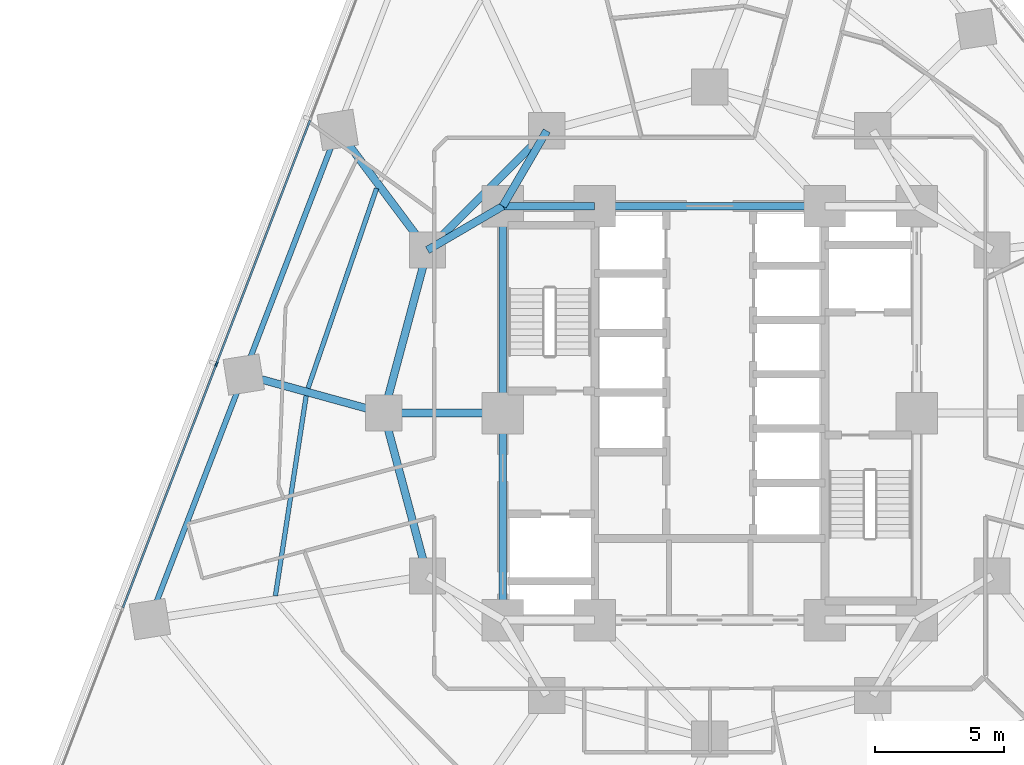
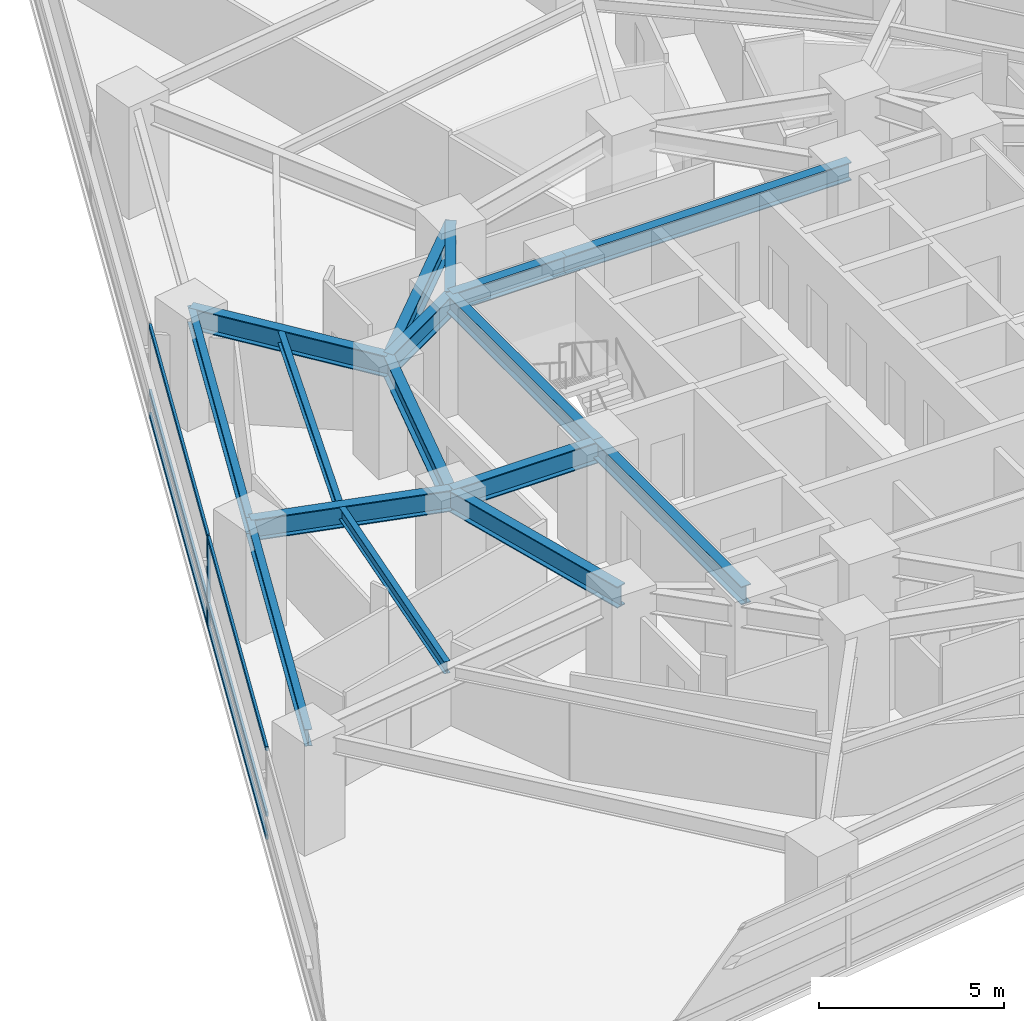
# One storey, part 3 of 14: 16 beams, 7 members, 1 element without a shape of its own.
"""IFC4 building model written with IfcOpenShell, lengths in metres."""

from ifc_helpers import new_model, si_unit, direction, frame, origin, origin_2d, place, context, subcontext, project, spatial, rectangle, i_section, extrude, material, layer, layer_set, material_profile, profile_set, type_object, element, aggregate, save


model = new_model("IFC4")

# Units and contexts
model_context = context("Model", 3, precision=1e-05, world=origin(), true_north=direction((0.0, 1.0)))
body_context = subcontext(model_context, "Body", "Model", "MODEL_VIEW")
ifc_project = project(units=[si_unit("LENGTHUNIT", "METRE"), si_unit("AREAUNIT", "SQUARE_METRE"), si_unit("VOLUMEUNIT", "CUBIC_METRE"), si_unit("PLANEANGLEUNIT", "RADIAN"), si_unit("MASSUNIT", "GRAM", prefix="KILO")], contexts=[model_context])

# Site, building, storey
site_placement = place(None, origin())
site = spatial("IfcSite", under=ifc_project, at=site_placement, CompositionType="ELEMENT")
building_placement = place(site_placement, origin())
building = spatial("IfcBuilding", under=site, at=building_placement, Name="Terralouvre Media Tower", CompositionType="ELEMENT")
storey_placement = place(building_placement, frame((0.0, 0.0, 74.10009765625)))
storey = spatial("IfcBuildingStorey", under=building, at=storey_placement, Name="L18", CompositionType="ELEMENT", Elevation=74.10009765625)

# Beams
ifc_material_1 = material(Name="Structural steel S355J2", Category="steel")
ifc_material_profile_1 = material_profile(ifc_material_1, i_section(OverallWidth=0.179931640625, OverallDepth=0.39990234375, WebThickness=0.008544921875, FlangeThickness=0.013427734375, at=origin_2d()), Name="IPE 400")
ifc_profile_set_1 = profile_set([ifc_material_profile_1], Name="Structural steel S355J2")
beam_type_1 = type_object("IfcBeamType", Name="Composite Floor Joist J-IPE400 (IPE 400)", PredefinedType="JOIST", material=ifc_profile_set_1)
beam_1_placement = place(storey_placement, frame((-12.87841796875, 8.684814453125, 3.2998046875), z_axis=(-0.324414525055, -0.945915015175, 0.0), x_axis=(0.945915015175, -0.324414525055, 0.0)))
element("IfcBeam", 1, at=beam_1_placement, inside=storey, type_object=beam_type_1, Name="L18 Framing Beam JT-L18-11", PredefinedType="JOIST", context=body_context, shape_type="SweptSolid", body=[
    extrude(i_section(OverallWidth=0.179931640625, OverallDepth=0.39990234375, WebThickness=0.008544921875, FlangeThickness=0.013427734375, at=origin_2d()), origin(), (0.0, 0.0, 1.0), 8.165283203125),
])
beam_2_placement = place(storey_placement, frame((-15.598876953125, 0.6708984375, 3.2998046875), z_axis=(-0.152106420826, -0.988364121538, 0.0), x_axis=(0.988364121538, -0.152106420826, 0.0)))
element("IfcBeam", 2, at=beam_2_placement, inside=storey, type_object=beam_type_1, Name="L18 Framing Beam JT-L18-12", PredefinedType="JOIST", context=body_context, shape_type="SweptSolid", body=[
    extrude(i_section(OverallWidth=0.179931640625, OverallDepth=0.39990234375, WebThickness=0.008544921875, FlangeThickness=0.013427734375, at=origin_2d()), origin(), (0.0, 0.0, 1.0), 7.82470703125),
])

# Curtain wall, members
ifc_material_2 = material(Name="Low-iron laminated double glazing with solar-control coating", Category="glass")
ifc_layer = layer(ifc_material_2, 0.1650390625, Name="Lower Media Tower Unitised Curtain Wall CW-02")
ifc_layer_set = layer_set([ifc_layer], Name="Low-iron laminated double glazing with solar-control coating")
curtain_wall_type = type_object("IfcCurtainWallType", Name="Lower Media Tower Unitised Curtain Wall CW-02", PredefinedType="NOTDEFINED", material=ifc_layer_set)
curtain_wall_placement = place(storey_placement, origin())
curtain_wall = element("IfcCurtainWall", 3, at=curtain_wall_placement, inside=storey, type_object=curtain_wall_type, Name="L18 Facade Curtain Wall F2", PredefinedType="NOTDEFINED")
ifc_material_3 = material(Name="Anodised extruded aluminium 6063-T6", Category="aluminium")
ifc_material_profile_2 = material_profile(ifc_material_3, rectangle(XDim=0.074951171875, YDim=0.14990234375, at=origin_2d()), Name="ALU 75x150")
ifc_profile_set_2 = profile_set([ifc_material_profile_2], Name="Anodised extruded aluminium 6063-T6")
member_type_1 = type_object("IfcMemberType", Name="Curtain-Wall Horizontal Transom TR-150", PredefinedType="USERDEFINED", material=ifc_profile_set_2)
member_1_placement = place(storey_placement, frame((-15.449951171875, 11.314697265625, 0.037353515625), z_axis=(-0.358357340084, -0.933584499019, 0.0), x_axis=(0.933584499019, -0.358357340084, 0.0)))
member_1 = element("IfcMember", 4, at=member_1_placement, type_object=member_type_1, Name="CW-02 transom 3.1", ObjectType="TRANSOM", PredefinedType="USERDEFINED", context=body_context, shape_type="SweptSolid", body=[
    extrude(rectangle(XDim=0.074951171875, YDim=0.14990234375, at=origin_2d()), origin(), (0.0, 0.0, 1.0), 10.052978515625),
])
member_2_placement = place(storey_placement, frame((-15.449951171875, 11.314697265625, 0.7998046875), z_axis=(-0.358357340084, -0.933584499019, 0.0), x_axis=(0.933584499019, -0.358357340084, 0.0)))
member_2 = element("IfcMember", 5, at=member_2_placement, type_object=member_type_1, Name="CW-02 transom 3.2", ObjectType="TRANSOM", PredefinedType="USERDEFINED", context=body_context, shape_type="SweptSolid", body=[
    extrude(rectangle(XDim=0.074951171875, YDim=0.14990234375, at=origin_2d()), origin(), (0.0, 0.0, 1.0), 10.052978515625),
])
member_3_placement = place(storey_placement, frame((-15.449951171875, 11.314697265625, 2.96240234375), z_axis=(-0.358357340084, -0.933584499019, 0.0), x_axis=(0.933584499019, -0.358357340084, 0.0)))
member_3 = element("IfcMember", 6, at=member_3_placement, type_object=member_type_1, Name="CW-02 transom 3.3", ObjectType="TRANSOM", PredefinedType="USERDEFINED", context=body_context, shape_type="SweptSolid", body=[
    extrude(rectangle(XDim=0.074951171875, YDim=0.14990234375, at=origin_2d()), origin(), (0.0, 0.0, 1.0), 10.052978515625),
])
member_4_placement = place(storey_placement, frame((-19.079345703125, 1.859375, 0.037353515625), z_axis=(-0.358378506594, -0.933576373957, 0.0), x_axis=(0.933576373957, -0.358378506594, 0.0)))
member_4 = element("IfcMember", 7, at=member_4_placement, type_object=member_type_1, Name="CW-02 transom 4.1", ObjectType="TRANSOM", PredefinedType="USERDEFINED", context=body_context, shape_type="SweptSolid", body=[
    extrude(rectangle(XDim=0.074951171875, YDim=0.14990234375, at=origin_2d()), origin(), (0.0, 0.0, 1.0), 10.052978515625),
])
member_5_placement = place(storey_placement, frame((-19.079345703125, 1.859375, 0.7998046875), z_axis=(-0.358378506594, -0.933576373957, 0.0), x_axis=(0.933576373957, -0.358378506594, 0.0)))
member_5 = element("IfcMember", 8, at=member_5_placement, type_object=member_type_1, Name="CW-02 transom 4.2", ObjectType="TRANSOM", PredefinedType="USERDEFINED", context=body_context, shape_type="SweptSolid", body=[
    extrude(rectangle(XDim=0.074951171875, YDim=0.14990234375, at=origin_2d()), origin(), (0.0, 0.0, 1.0), 10.052978515625),
])
member_6_placement = place(storey_placement, frame((-19.079345703125, 1.859375, 2.96240234375), z_axis=(-0.358378506594, -0.933576373957, 0.0), x_axis=(0.933576373957, -0.358378506594, 0.0)))
member_6 = element("IfcMember", 9, at=member_6_placement, type_object=member_type_1, Name="CW-02 transom 4.3", ObjectType="TRANSOM", PredefinedType="USERDEFINED", context=body_context, shape_type="SweptSolid", body=[
    extrude(rectangle(XDim=0.074951171875, YDim=0.14990234375, at=origin_2d()), origin(), (0.0, 0.0, 1.0), 10.052978515625),
])
ifc_material_4 = material(Name="Anodised extruded aluminium 6063-T6", Category="aluminium")
ifc_material_profile_3 = material_profile(ifc_material_4, rectangle(XDim=0.074951171875, YDim=0.179931640625, at=origin_2d()), Name="ALU 75x180")
ifc_profile_set_3 = profile_set([ifc_material_profile_3], Name="Anodised extruded aluminium 6063-T6")
member_type_2 = type_object("IfcMemberType", Name="Curtain-Wall Vertical Mullion ML-180", PredefinedType="MULLION", material=ifc_profile_set_3)
member_7_placement = place(storey_placement, frame((-19.06591796875, 1.89453125, 0.0), z_axis=(0.0, 0.0, 1.0), x_axis=(0.933580438988, -0.358367917006, 0.0)))
member_7 = element("IfcMember", 10, at=member_7_placement, type_object=member_type_2, Name="CW-02 mullion 4", PredefinedType="MULLION", context=body_context, shape_type="SweptSolid", body=[
    extrude(rectangle(XDim=0.074951171875, YDim=0.179931640625, at=origin_2d()), origin(), (0.0, 0.0, 1.0), 3.0),
])
aggregate(curtain_wall, [member_7, member_1, member_2, member_3, member_4, member_5, member_6])

# Beams
ifc_material_5 = material(Name="Structural steel S355J2", Category="steel")
ifc_material_profile_4 = material_profile(ifc_material_5, i_section(OverallWidth=0.2099609375, OverallDepth=0.550048828125, WebThickness=0.010986328125, FlangeThickness=0.01708984375, at=origin_2d()), Name="IPE 550")
ifc_profile_set_4 = profile_set([ifc_material_profile_4], Name="Structural steel S355J2")
beam_type_2 = type_object("IfcBeamType", Name="Perimeter Spandrel Beam SPB-550 (IPE 550)", PredefinedType="SPANDREL", material=ifc_profile_set_4)
for number, where, z_axis, x_axis, name in (
    (11, (-14.38134765625, 10.94482421875, 3.224853515625), (-0.358374878229, -0.933577766795, 0.0), (0.933577766795, -0.358374878229, 0.0), "L18 Framing Beam BM-L18-PR11"),
    (12, (-18.010986328125, 1.489501953125, 3.224853515625), (-0.358374878229, -0.933577766795, 0.0), (0.933577766795, -0.358374878229, 0.0), "L18 Framing Beam BM-L18-PR12"),
):
    element("IfcBeam", number, at=place(storey_placement, frame(where, z_axis=z_axis, x_axis=x_axis)), inside=storey, type_object=beam_type_2, Name=name, PredefinedType="SPANDREL", context=body_context, shape_type="SweptSolid", body=[
        extrude(i_section(OverallWidth=0.2099609375, OverallDepth=0.550048828125, WebThickness=0.010986328125, FlangeThickness=0.01708984375, at=origin_2d()), origin(), (0.0, 0.0, 1.0), 10.1279296875),
    ])
ifc_material_6 = material(Name="Structural steel S460M", Category="steel")
ifc_material_profile_5 = material_profile(ifc_material_6, i_section(OverallWidth=0.300048828125, OverallDepth=0.60009765625, WebThickness=0.015380859375, FlangeThickness=0.030029296875, at=origin_2d()), Name="HEB 600")
ifc_profile_set_5 = profile_set([ifc_material_profile_5], Name="Structural steel S460M")
beam_type_3 = type_object("IfcBeamType", Name="Primary Floor Girder B-HEB600 (HEB 600)", PredefinedType="BEAM", material=ifc_profile_set_5)
beam_3_placement = place(storey_placement, frame((4.449951171875, 8.0, 3.199951171875), z_axis=(-1.0, 0.0, 0.0), x_axis=(0.0, -1.0, 0.0)))
element("IfcBeam", 13, at=beam_3_placement, inside=storey, type_object=beam_type_3, Name="L18 Framing Beam BM-L18-CPR07", PredefinedType="BEAM", context=body_context, shape_type="SweptSolid", body=[
    extrude(i_section(OverallWidth=0.300048828125, OverallDepth=0.60009765625, WebThickness=0.015380859375, FlangeThickness=0.030029296875, at=origin_2d()), origin(), (0.0, 0.0, 1.0), 8.89990234375),
])
beam_4_placement = place(storey_placement, frame((-4.449951171875, 8.0, 3.199951171875), z_axis=(-1.0, 0.0, 0.0), x_axis=(0.0, -1.0, 0.0)))
element("IfcBeam", 14, at=beam_4_placement, inside=storey, type_object=beam_type_3, Name="L18 Framing Beam BM-L18-CPR08", PredefinedType="BEAM", context=body_context, shape_type="SweptSolid", body=[
    extrude(i_section(OverallWidth=0.300048828125, OverallDepth=0.60009765625, WebThickness=0.015380859375, FlangeThickness=0.030029296875, at=origin_2d()), origin(), (0.0, 0.0, 1.0), 3.550048828125),
])
for number, where, z_axis, x_axis, name in (
    (15, (-8.0, 8.0, 3.199951171875), (0.0, -1.0, 0.0), (1.0, 0.0, 0.0), "L18 Framing Beam BM-L18-CPR09"),
    (16, (-8.0, 0.0, 3.199951171875), (0.0, -1.0, 0.0), (1.0, 0.0, 0.0), "L18 Framing Beam BM-L18-CPR10"),
):
    element("IfcBeam", number, at=place(storey_placement, frame(where, z_axis=z_axis, x_axis=x_axis)), inside=storey, type_object=beam_type_3, Name=name, PredefinedType="BEAM", context=body_context, shape_type="SweptSolid", body=[
        extrude(i_section(OverallWidth=0.300048828125, OverallDepth=0.60009765625, WebThickness=0.015380859375, FlangeThickness=0.030029296875, at=origin_2d()), origin(), (0.0, 0.0, 1.0), 8.0),
    ])
ifc_material_7 = material(Name="Structural steel S460M", Category="steel")
ifc_material_profile_6 = material_profile(ifc_material_7, i_section(OverallWidth=0.300048828125, OverallDepth=0.699951171875, WebThickness=0.01708984375, FlangeThickness=0.031982421875, at=origin_2d()), Name="HEB 700")
ifc_profile_set_6 = profile_set([ifc_material_profile_6], Name="Structural steel S460M")
beam_type_4 = type_object("IfcBeamType", Name="Primary Floor Girder B-HEB700 (HEB 700)", PredefinedType="BEAM", material=ifc_profile_set_6)
beam_5_placement = place(storey_placement, frame((-6.300048828125, 10.911865234375, 3.14990234375), z_axis=(-0.707106781187, -0.707106781187, 0.0), x_axis=(0.707106781187, -0.707106781187, 0.0)))
element("IfcBeam", 17, at=beam_5_placement, inside=storey, type_object=beam_type_4, Name="L18 Framing Beam BM-L18-MR10", PredefinedType="BEAM", context=body_context, shape_type="SweptSolid", body=[
    extrude(i_section(OverallWidth=0.300048828125, OverallDepth=0.699951171875, WebThickness=0.01708984375, FlangeThickness=0.031982421875, at=origin_2d()), origin(), (0.0, 0.0, 1.0), 6.52197265625),
])
for number, where, z_axis, x_axis, name in (
    (18, (-10.911865234375, 6.300048828125, 3.14990234375), (-0.258838989821, -0.965920481897, 0.0), (0.965920481897, -0.258838989821, 0.0), "L18 Framing Beam BM-L18-MR11"),
    (19, (-12.60009765625, 0.0, 3.14990234375), (0.258838989821, -0.965920481897, 0.0), (0.965920481897, 0.258838989821, 0.0), "L18 Framing Beam BM-L18-MR12"),
):
    element("IfcBeam", number, at=place(storey_placement, frame(where, z_axis=z_axis, x_axis=x_axis)), inside=storey, type_object=beam_type_4, Name=name, PredefinedType="BEAM", context=body_context, shape_type="SweptSolid", body=[
        extrude(i_section(OverallWidth=0.300048828125, OverallDepth=0.699951171875, WebThickness=0.01708984375, FlangeThickness=0.031982421875, at=origin_2d()), origin(), (0.0, 0.0, 1.0), 6.522216796875),
    ])
for number, where, z_axis, x_axis, name in (
    (20, (-8.0, 8.0, 3.14990234375), (0.504172629717, 0.863602894532, 0.0), (-0.863602894532, 0.504172629717, 0.0), "L18 Framing Beam BM-L18-CM10"),
    (21, (-8.0, 8.0, 3.14990234375), (-0.863602894532, -0.504172629717, 0.0), (0.504172629717, -0.863602894532, 0.0), "L18 Framing Beam BM-L18-CM11"),
):
    element("IfcBeam", number, at=place(storey_placement, frame(where, z_axis=z_axis, x_axis=x_axis)), inside=storey, type_object=beam_type_4, Name=name, PredefinedType="BEAM", context=body_context, shape_type="SweptSolid", body=[
        extrude(i_section(OverallWidth=0.300048828125, OverallDepth=0.699951171875, WebThickness=0.01708984375, FlangeThickness=0.031982421875, at=origin_2d()), origin(), (0.0, 0.0, 1.0), 3.371826171875),
    ])
beam_6_placement = place(storey_placement, frame((-8.0, 0.0, 3.14990234375), z_axis=(-1.0, 0.0, 0.0), x_axis=(0.0, -1.0, 0.0)))
element("IfcBeam", 22, at=beam_6_placement, inside=storey, type_object=beam_type_4, Name="L18 Framing Beam BM-L18-CM12", PredefinedType="BEAM", context=body_context, shape_type="SweptSolid", body=[
    extrude(i_section(OverallWidth=0.300048828125, OverallDepth=0.699951171875, WebThickness=0.01708984375, FlangeThickness=0.031982421875, at=origin_2d()), origin(), (0.0, 0.0, 1.0), 4.60009765625),
])
beam_7_placement = place(storey_placement, frame((-10.911865234375, 6.300048828125, 3.14990234375), z_axis=(-0.598442434067, 0.801165808749, 0.0), x_axis=(-0.801165808749, -0.598442434067, 0.0)))
element("IfcBeam", 23, at=beam_7_placement, inside=storey, type_object=beam_type_4, Name="L18 Framing Beam BM-L18-RD11", PredefinedType="BEAM", context=body_context, shape_type="SweptSolid", body=[
    extrude(i_section(OverallWidth=0.300048828125, OverallDepth=0.699951171875, WebThickness=0.01708984375, FlangeThickness=0.031982421875, at=origin_2d()), origin(), (0.0, 0.0, 1.0), 5.797607421875),
])
beam_8_placement = place(storey_placement, frame((-12.60009765625, 0.0, 3.14990234375), z_axis=(-0.964136682273, 0.265406212992, 0.0), x_axis=(-0.265406212992, -0.964136682273, 0.0)))
element("IfcBeam", 24, at=beam_8_placement, inside=storey, type_object=beam_type_4, Name="L18 Framing Beam BM-L18-RD12", PredefinedType="BEAM", context=body_context, shape_type="SweptSolid", body=[
    extrude(i_section(OverallWidth=0.300048828125, OverallDepth=0.699951171875, WebThickness=0.01708984375, FlangeThickness=0.031982421875, at=origin_2d()), origin(), (0.0, 0.0, 1.0), 5.612060546875),
])

save(model, "model.ifc")
